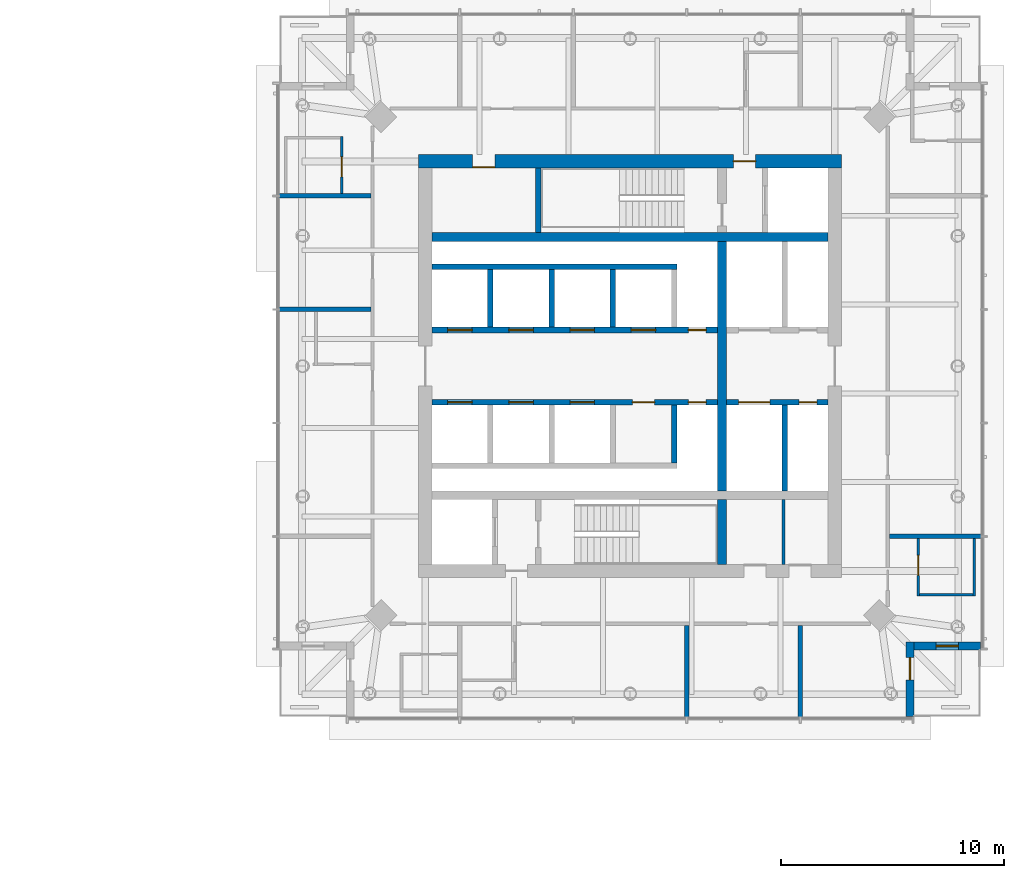
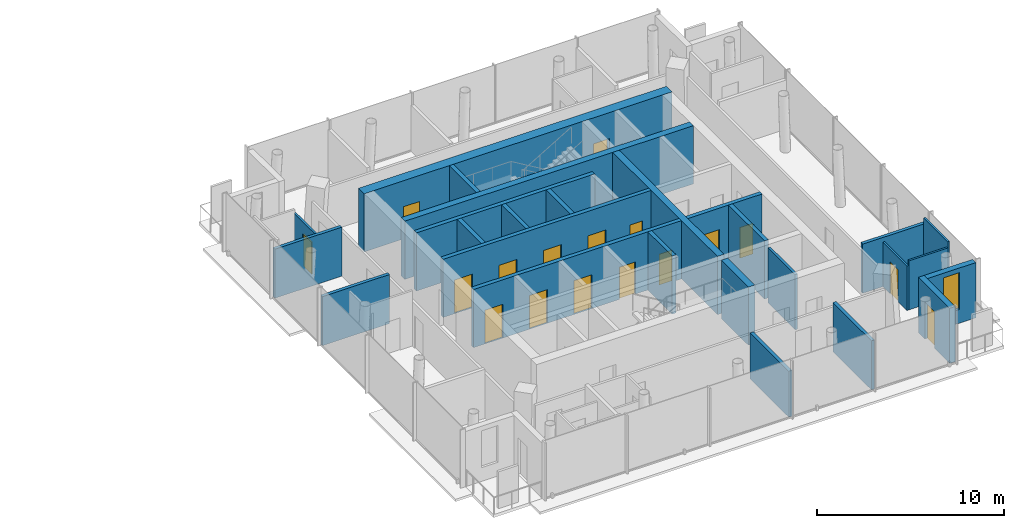
# One storey, part 13 of 19: 26 walls, 17 doors, 1 window, 18 openings.
"""IFC4 building model written with IfcOpenShell, lengths in metres."""

from ifc_helpers import new_model, si_unit, direction, frame, frame_2d, origin, place, context, subcontext, project, spatial, rectangle, extrude, material, layer, layer_set, type_object, element, fill, save


model = new_model("IFC4")

# Units and contexts
model_context = context("Model", 3, precision=1e-05, world=origin(), true_north=direction((0.0, 1.0)))
body_context = subcontext(model_context, "Body", "Model", "MODEL_VIEW")
ifc_project = project(units=[si_unit("LENGTHUNIT", "METRE"), si_unit("AREAUNIT", "SQUARE_METRE"), si_unit("VOLUMEUNIT", "CUBIC_METRE"), si_unit("PLANEANGLEUNIT", "RADIAN"), si_unit("MASSUNIT", "GRAM", prefix="KILO")], contexts=[model_context])

# Site, building, storey
site_placement = place(None, origin())
site = spatial("IfcSite", under=ifc_project, at=site_placement, CompositionType="ELEMENT")
building_placement = place(site_placement, origin())
building = spatial("IfcBuilding", under=site, at=building_placement, Name="Ostroluk Exchange", CompositionType="ELEMENT")
storey_placement = place(building_placement, frame((0.0, 0.0, 119.800048828125)))
storey = spatial("IfcBuildingStorey", under=building, at=storey_placement, Name="L30", CompositionType="ELEMENT", Elevation=119.800048828125)

# Walls
ifc_material_1 = material(Name="Concrete blockwork", Category="masonry")
ifc_layer_1 = layer(ifc_material_1, 0.14990234375)
ifc_layer_set_1 = layer_set([ifc_layer_1], Name="Blockwork plant room wall 150")
wall_type_1 = type_object("IfcWallType", Name="Blockwork plant room wall 150", PredefinedType="SOLIDWALL", material=ifc_layer_set_1)
wall_1_placement = place(storey_placement, frame((123.88916015625, 37.10009765625, 0.0), z_axis=(0.0, 0.0, 1.0), x_axis=(0.0, 1.0, 0.0)))
element("IfcWall", 1, at=wall_1_placement, inside=storey, type_object=wall_type_1, Name="Core room wall", PredefinedType="SOLIDWALL", context=body_context, shape_type="SweptSolid", body=[
    extrude(rectangle(XDim=2.89990234375, YDim=0.14990234375, at=frame_2d((1.449951171875, 0.0))), origin(), (0.0, 0.0, 1.0), 3.599853515625),
])
ifc_material_2 = material(Name="Concrete C50/60", Category="concrete")
ifc_layer_2 = layer(ifc_material_2, 0.39990234375)
ifc_layer_set_2 = layer_set([ifc_layer_2], Name="Core cross wall 400 C50/60")
wall_type_2 = type_object("IfcWallType", Name="Core cross wall 400 C50/60", PredefinedType="SHEAR", material=ifc_layer_set_2)
wall_2_placement = place(storey_placement, frame((108.10009765625, 51.800048828125, 0.0), z_axis=(0.0, 0.0, 1.0), x_axis=(1.0, 0.0, 0.0)))
element("IfcWall", 2, at=wall_2_placement, inside=storey, type_object=wall_type_2, Name="T2 core wall XN", PredefinedType="SHEAR", context=body_context, shape_type="SweptSolid", body=[
    extrude(rectangle(XDim=17.7998046875, YDim=0.39990234375, at=frame_2d((8.89990234375, 0.0))), origin(), (0.0, 0.0, 1.0), 3.800048828125),
])
wall_3_placement = place(storey_placement, frame((121.1298828125, 37.10009765625, 0.0), z_axis=(0.0, 0.0, 1.0), x_axis=(0.0, 1.0, 0.0)))
element("IfcWall", 3, at=wall_3_placement, inside=storey, type_object=wall_type_2, Name="T2 core wall YE1", PredefinedType="SHEAR", context=body_context, shape_type="SweptSolid", body=[
    extrude(rectangle(XDim=2.89990234375, YDim=0.39990234375, at=frame_2d((1.449951171875, 0.0))), origin(), (0.0, 0.0, 1.0), 3.800048828125),
])
wall_4_placement = place(storey_placement, frame((121.1298828125, 40.39990234375, 0.0), z_axis=(0.0, 0.0, 1.0), x_axis=(0.0, 1.0, 0.0)))
element("IfcWall", 4, at=wall_4_placement, inside=storey, type_object=wall_type_2, Name="T2 core wall YE2", PredefinedType="SHEAR", context=body_context, shape_type="SweptSolid", body=[
    extrude(rectangle(XDim=11.2001953125, YDim=0.39990234375, at=frame_2d((5.60009765625, 0.0))), origin(), (0.0, 0.0, 1.0), 3.800048828125),
])
ifc_material_3 = material(Name="Concrete C40/50", Category="concrete")
ifc_layer_3 = layer(ifc_material_3, 0.25)
ifc_layer_set_3 = layer_set([ifc_layer_3], Name="Core shaft wall 250")
wall_type_3 = type_object("IfcWallType", Name="Core shaft wall 250", PredefinedType="SHEAR", material=ifc_layer_set_3)
wall_5_placement = place(storey_placement, frame((112.875, 52.0, 0.0), z_axis=(0.0, 0.0, 1.0), x_axis=(0.0, 1.0, 0.0)))
element("IfcWall", 5, at=wall_5_placement, inside=storey, type_object=wall_type_3, Name="Stair shaft wall", PredefinedType="SHEAR", context=body_context, shape_type="SweptSolid", body=[
    extrude(rectangle(XDim=2.89990234375, YDim=0.25, at=frame_2d((1.449951171875, 0.0))), origin(), (0.0, 0.0, 1.0), 3.800048828125),
])
for number, where, z_axis, x_axis, name in (
    (6, (110.72509765625, 47.75, 0.0), (0.0, 0.0, 1.0), (0.0, 1.0, 0.0), "Lift shaft wall"),
    (7, (113.47509765625, 47.75, 0.0), (0.0, 0.0, 1.0), (0.0, 1.0, 0.0), "Lift shaft wall"),
    (8, (116.22509765625, 47.75, 0.0), (0.0, 0.0, 1.0), (0.0, 1.0, 0.0), "Lift shaft wall"),
):
    element("IfcWall", number, at=place(storey_placement, frame(where, z_axis=z_axis, x_axis=x_axis)), inside=storey, type_object=wall_type_3, Name=name, PredefinedType="SHEAR", context=body_context, shape_type="SweptSolid", body=[
        extrude(rectangle(XDim=2.60009765625, YDim=0.25, at=frame_2d((1.300048828125, 0.0))), origin(), (0.0, 0.0, 1.0), 3.800048828125),
    ])
wall_6_placement = place(storey_placement, frame((108.10009765625, 50.47509765625, 0.0), z_axis=(0.0, 0.0, 1.0), x_axis=(1.0, 0.0, 0.0)))
element("IfcWall", 9, at=wall_6_placement, inside=storey, type_object=wall_type_3, Name="Lift shaft wall", PredefinedType="SHEAR", context=body_context, shape_type="SweptSolid", body=[
    extrude(rectangle(XDim=11.0, YDim=0.25, at=frame_2d((5.5, 0.0))), origin(), (0.0, 0.0, 1.0), 3.800048828125),
])

# Wall, openings, doors
wall_7_placement = place(storey_placement, frame((108.10009765625, 47.625, 0.0), z_axis=(0.0, 0.0, 1.0), x_axis=(1.0, 0.0, 0.0)))
wall_7 = element("IfcWall", 10, at=wall_7_placement, inside=storey, type_object=wall_type_3, Name="Lift shaft front wall", PredefinedType="SHEAR", context=body_context, shape_type="SweptSolid", body=[
    extrude(rectangle(XDim=12.829833984375, YDim=0.25, at=frame_2d((6.4150390625, 0.0))), origin(), (0.0, 0.0, 1.0), 3.800048828125),
])
opening_1_placement = place(wall_7_placement, frame((0.699951171875, 0.0, 0.0)))
opening_1 = element("IfcOpeningElement", 11, at=opening_1_placement, cuts=wall_7, Name="Opening LD", PredefinedType="OPENING", context=body_context, shape_type="SweptSolid", body=[
    extrude(rectangle(XDim=1.10009765625, YDim=2.199951171875, at=frame_2d((0.550048828125, 1.10009765625))), frame((0.0, 0.135009765625, 0.0), z_axis=(0.0, -1.0, 0.0), x_axis=(1.0, 0.0, 0.0)), (0.0, 0.0, 1.0), 0.27001953125),
])
opening_2_placement = place(wall_7_placement, frame((3.449951171875, 0.0, 0.0)))
opening_2 = element("IfcOpeningElement", 12, at=opening_2_placement, cuts=wall_7, Name="Opening LD", PredefinedType="OPENING", context=body_context, shape_type="SweptSolid", body=[
    extrude(rectangle(XDim=1.10009765625, YDim=2.199951171875, at=frame_2d((0.550048828125, 1.10009765625))), frame((0.0, 0.135009765625, 0.0), z_axis=(0.0, -1.0, 0.0), x_axis=(1.0, 0.0, 0.0)), (0.0, 0.0, 1.0), 0.27001953125),
])
opening_3_placement = place(wall_7_placement, frame((6.199951171875, 0.0, 0.0)))
opening_3 = element("IfcOpeningElement", 13, at=opening_3_placement, cuts=wall_7, Name="Opening LD", PredefinedType="OPENING", context=body_context, shape_type="SweptSolid", body=[
    extrude(rectangle(XDim=1.10009765625, YDim=2.199951171875, at=frame_2d((0.550048828125, 1.10009765625))), frame((0.0, 0.135009765625, 0.0), z_axis=(0.0, -1.0, 0.0), x_axis=(1.0, 0.0, 0.0)), (0.0, 0.0, 1.0), 0.27001953125),
])
opening_4_placement = place(wall_7_placement, frame((8.949951171875, 0.0, 0.0)))
opening_4 = element("IfcOpeningElement", 14, at=opening_4_placement, cuts=wall_7, Name="Opening LD", PredefinedType="OPENING", context=body_context, shape_type="SweptSolid", body=[
    extrude(rectangle(XDim=1.10009765625, YDim=2.199951171875, at=frame_2d((0.550048828125, 1.10009765625))), frame((0.0, 0.135009765625, 0.0), z_axis=(0.0, -1.0, 0.0), x_axis=(1.0, 0.0, 0.0)), (0.0, 0.0, 1.0), 0.27001953125),
])
opening_5_placement = place(wall_7_placement, frame((11.514892578125, 0.0, 0.0)))
opening_5 = element("IfcOpeningElement", 15, at=opening_5_placement, cuts=wall_7, Name="Opening RD60", PredefinedType="OPENING", context=body_context, shape_type="SweptSolid", body=[
    extrude(rectangle(XDim=0.800048828125, YDim=2.0, at=frame_2d((0.39990234375, 1.0))), frame((0.0, 0.135009765625, 0.0), z_axis=(0.0, -1.0, 0.0), x_axis=(1.0, 0.0, 0.0)), (0.0, 0.0, 1.0), 0.27001953125),
])
ifc_material_4 = material(Name="Stainless steel", Category="steel")
door_type_1 = type_object("IfcDoorType", Name="Lift landing door E 60 1100 x 2200", OperationType="DOUBLE_DOOR_SLIDING", PredefinedType="DOOR", material=ifc_material_4)
door_1_placement = place(opening_1_placement, origin())
door_1 = element("IfcDoor", 16, at=door_1_placement, inside=storey, type_object=door_type_1, Name="Lift HL1 landing door", OperationType="DOUBLE_DOOR_SLIDING", OverallHeight=2.199951171875, OverallWidth=1.10009765625, PredefinedType="DOOR", context=body_context, shape_type="SweptSolid", body=[
    extrude(rectangle(XDim=1.10009765625, YDim=2.199951171875, at=frame_2d((0.550048828125, 1.10009765625))), frame((0.0, 0.02490234375, 0.0), z_axis=(0.0, -1.0, 0.0), x_axis=(1.0, 0.0, 0.0)), (0.0, 0.0, 1.0), 0.050048828125),
])
fill(opening_1, door_1)
door_2_placement = place(opening_2_placement, origin())
door_2 = element("IfcDoor", 17, at=door_2_placement, inside=storey, type_object=door_type_1, Name="Lift HL2 landing door", OperationType="DOUBLE_DOOR_SLIDING", OverallHeight=2.199951171875, OverallWidth=1.10009765625, PredefinedType="DOOR", context=body_context, shape_type="SweptSolid", body=[
    extrude(rectangle(XDim=1.10009765625, YDim=2.199951171875, at=frame_2d((0.550048828125, 1.10009765625))), frame((0.0, 0.02490234375, 0.0), z_axis=(0.0, -1.0, 0.0), x_axis=(1.0, 0.0, 0.0)), (0.0, 0.0, 1.0), 0.050048828125),
])
fill(opening_2, door_2)
door_3_placement = place(opening_3_placement, origin())
door_3 = element("IfcDoor", 18, at=door_3_placement, inside=storey, type_object=door_type_1, Name="Lift HL3 landing door", OperationType="DOUBLE_DOOR_SLIDING", OverallHeight=2.199951171875, OverallWidth=1.10009765625, PredefinedType="DOOR", context=body_context, shape_type="SweptSolid", body=[
    extrude(rectangle(XDim=1.10009765625, YDim=2.199951171875, at=frame_2d((0.550048828125, 1.10009765625))), frame((0.0, 0.02490234375, 0.0), z_axis=(0.0, -1.0, 0.0), x_axis=(1.0, 0.0, 0.0)), (0.0, 0.0, 1.0), 0.050048828125),
])
fill(opening_3, door_3)
door_4_placement = place(opening_4_placement, origin())
door_4 = element("IfcDoor", 19, at=door_4_placement, inside=storey, type_object=door_type_1, Name="Lift HL4 landing door", OperationType="DOUBLE_DOOR_SLIDING", OverallHeight=2.199951171875, OverallWidth=1.10009765625, PredefinedType="DOOR", context=body_context, shape_type="SweptSolid", body=[
    extrude(rectangle(XDim=1.10009765625, YDim=2.199951171875, at=frame_2d((0.550048828125, 1.10009765625))), frame((0.0, 0.02490234375, 0.0), z_axis=(0.0, -1.0, 0.0), x_axis=(1.0, 0.0, 0.0)), (0.0, 0.0, 1.0), 0.050048828125),
])
fill(opening_4, door_4)
ifc_material_5 = material(Name="Steel", Category="steel")
door_type_2 = type_object("IfcDoorType", Name="Riser access door EI 60 800 x 2000", OperationType="SINGLE_SWING_LEFT", PredefinedType="DOOR", material=ifc_material_5)
door_5_placement = place(opening_5_placement, origin())
door_5 = element("IfcDoor", 20, at=door_5_placement, inside=storey, type_object=door_type_2, Name="Riser access door", OperationType="SINGLE_SWING_RIGHT", OverallHeight=2.0, OverallWidth=0.800048828125, PredefinedType="DOOR", context=body_context, shape_type="SweptSolid", body=[
    extrude(rectangle(XDim=0.800048828125, YDim=2.0, at=frame_2d((0.39990234375, 1.0))), frame((0.0, 0.02490234375, 0.0), z_axis=(0.0, -1.0, 0.0), x_axis=(1.0, 0.0, 0.0)), (0.0, 0.0, 1.0), 0.050048828125),
])
fill(opening_5, door_5)

# Wall
wall_8_placement = place(storey_placement, frame((118.97509765625, 44.25, 0.0), z_axis=(0.0, 0.0, 1.0), x_axis=(0.0, -1.0, 0.0)))
element("IfcWall", 21, at=wall_8_placement, inside=storey, type_object=wall_type_3, Name="Lift shaft wall", PredefinedType="SHEAR", context=body_context, shape_type="SweptSolid", body=[
    extrude(rectangle(XDim=2.60009765625, YDim=0.25, at=frame_2d((1.300048828125, 0.0))), origin(), (0.0, 0.0, 1.0), 3.800048828125),
])

# Wall, openings, doors
wall_9_placement = place(storey_placement, frame((108.10009765625, 44.375, 0.0), z_axis=(0.0, 0.0, 1.0), x_axis=(1.0, 0.0, 0.0)))
wall_9 = element("IfcWall", 22, at=wall_9_placement, inside=storey, type_object=wall_type_3, Name="Lift shaft front wall", PredefinedType="SHEAR", context=body_context, shape_type="SweptSolid", body=[
    extrude(rectangle(XDim=12.829833984375, YDim=0.25, at=frame_2d((6.4150390625, 0.0))), origin(), (0.0, 0.0, 1.0), 3.800048828125),
])
opening_6_placement = place(wall_9_placement, frame((0.699951171875, 0.0, 0.0)))
opening_6 = element("IfcOpeningElement", 23, at=opening_6_placement, cuts=wall_9, Name="Opening LD", PredefinedType="OPENING", context=body_context, shape_type="SweptSolid", body=[
    extrude(rectangle(XDim=1.10009765625, YDim=2.199951171875, at=frame_2d((0.550048828125, 1.10009765625))), frame((0.0, 0.135009765625, 0.0), z_axis=(0.0, -1.0, 0.0), x_axis=(1.0, 0.0, 0.0)), (0.0, 0.0, 1.0), 0.27001953125),
])
opening_7_placement = place(wall_9_placement, frame((3.449951171875, 0.0, 0.0)))
opening_7 = element("IfcOpeningElement", 24, at=opening_7_placement, cuts=wall_9, Name="Opening LD", PredefinedType="OPENING", context=body_context, shape_type="SweptSolid", body=[
    extrude(rectangle(XDim=1.10009765625, YDim=2.199951171875, at=frame_2d((0.550048828125, 1.10009765625))), frame((0.0, 0.135009765625, 0.0), z_axis=(0.0, -1.0, 0.0), x_axis=(1.0, 0.0, 0.0)), (0.0, 0.0, 1.0), 0.27001953125),
])
opening_8_placement = place(wall_9_placement, frame((6.199951171875, 0.0, 0.0)))
opening_8 = element("IfcOpeningElement", 25, at=opening_8_placement, cuts=wall_9, Name="Opening LD", PredefinedType="OPENING", context=body_context, shape_type="SweptSolid", body=[
    extrude(rectangle(XDim=1.10009765625, YDim=2.199951171875, at=frame_2d((0.550048828125, 1.10009765625))), frame((0.0, 0.135009765625, 0.0), z_axis=(0.0, -1.0, 0.0), x_axis=(1.0, 0.0, 0.0)), (0.0, 0.0, 1.0), 0.27001953125),
])
opening_9_placement = place(wall_9_placement, frame((9.0, 0.0, 0.0)))
opening_9 = element("IfcOpeningElement", 26, at=opening_9_placement, cuts=wall_9, Name="Opening FD60", PredefinedType="OPENING", context=body_context, shape_type="SweptSolid", body=[
    extrude(rectangle(XDim=1.0, YDim=2.10009765625, at=frame_2d((0.5, 1.050048828125))), frame((0.0, 0.135009765625, 0.0), z_axis=(0.0, -1.0, 0.0), x_axis=(1.0, 0.0, 0.0)), (0.0, 0.0, 1.0), 0.27001953125),
])
opening_10_placement = place(wall_9_placement, frame((11.514892578125, 0.0, 0.0)))
opening_10 = element("IfcOpeningElement", 27, at=opening_10_placement, cuts=wall_9, Name="Opening RD60", PredefinedType="OPENING", context=body_context, shape_type="SweptSolid", body=[
    extrude(rectangle(XDim=0.800048828125, YDim=2.0, at=frame_2d((0.39990234375, 1.0))), frame((0.0, 0.135009765625, 0.0), z_axis=(0.0, -1.0, 0.0), x_axis=(1.0, 0.0, 0.0)), (0.0, 0.0, 1.0), 0.27001953125),
])
ifc_material_6 = material(Name="Steel", Category="steel")
door_type_3 = type_object("IfcDoorType", Name="Fire door EI 60 1000 x 2100", OperationType="SINGLE_SWING_LEFT", PredefinedType="DOOR", material=ifc_material_6)
door_6_placement = place(opening_9_placement, origin())
door_6 = element("IfcDoor", 28, at=door_6_placement, inside=storey, type_object=door_type_3, Name="Core room door", OperationType="SINGLE_SWING_RIGHT", OverallHeight=2.10009765625, OverallWidth=1.0, PredefinedType="DOOR", context=body_context, shape_type="SweptSolid", body=[
    extrude(rectangle(XDim=1.0, YDim=2.10009765625, at=frame_2d((0.5, 1.050048828125))), frame((0.0, 0.02490234375, 0.0), z_axis=(0.0, -1.0, 0.0), x_axis=(1.0, 0.0, 0.0)), (0.0, 0.0, 1.0), 0.050048828125),
])
fill(opening_9, door_6)
door_7_placement = place(opening_6_placement, origin())
door_7 = element("IfcDoor", 29, at=door_7_placement, inside=storey, type_object=door_type_1, Name="Lift HL5 landing door", OperationType="DOUBLE_DOOR_SLIDING", OverallHeight=2.199951171875, OverallWidth=1.10009765625, PredefinedType="DOOR", context=body_context, shape_type="SweptSolid", body=[
    extrude(rectangle(XDim=1.10009765625, YDim=2.199951171875, at=frame_2d((0.550048828125, 1.10009765625))), frame((0.0, 0.02490234375, 0.0), z_axis=(0.0, -1.0, 0.0), x_axis=(1.0, 0.0, 0.0)), (0.0, 0.0, 1.0), 0.050048828125),
])
fill(opening_6, door_7)
door_8_placement = place(opening_7_placement, origin())
door_8 = element("IfcDoor", 30, at=door_8_placement, inside=storey, type_object=door_type_1, Name="Lift HL6 landing door", OperationType="DOUBLE_DOOR_SLIDING", OverallHeight=2.199951171875, OverallWidth=1.10009765625, PredefinedType="DOOR", context=body_context, shape_type="SweptSolid", body=[
    extrude(rectangle(XDim=1.10009765625, YDim=2.199951171875, at=frame_2d((0.550048828125, 1.10009765625))), frame((0.0, 0.02490234375, 0.0), z_axis=(0.0, -1.0, 0.0), x_axis=(1.0, 0.0, 0.0)), (0.0, 0.0, 1.0), 0.050048828125),
])
fill(opening_7, door_8)
door_9_placement = place(opening_8_placement, origin())
door_9 = element("IfcDoor", 31, at=door_9_placement, inside=storey, type_object=door_type_1, Name="Lift HL7 landing door", OperationType="DOUBLE_DOOR_SLIDING", OverallHeight=2.199951171875, OverallWidth=1.10009765625, PredefinedType="DOOR", context=body_context, shape_type="SweptSolid", body=[
    extrude(rectangle(XDim=1.10009765625, YDim=2.199951171875, at=frame_2d((0.550048828125, 1.10009765625))), frame((0.0, 0.02490234375, 0.0), z_axis=(0.0, -1.0, 0.0), x_axis=(1.0, 0.0, 0.0)), (0.0, 0.0, 1.0), 0.050048828125),
])
fill(opening_8, door_9)
door_10_placement = place(opening_10_placement, origin())
door_10 = element("IfcDoor", 32, at=door_10_placement, inside=storey, type_object=door_type_2, Name="Riser access door", OperationType="SINGLE_SWING_RIGHT", OverallHeight=2.0, OverallWidth=0.800048828125, PredefinedType="DOOR", context=body_context, shape_type="SweptSolid", body=[
    extrude(rectangle(XDim=0.800048828125, YDim=2.0, at=frame_2d((0.39990234375, 1.0))), frame((0.0, 0.02490234375, 0.0), z_axis=(0.0, -1.0, 0.0), x_axis=(1.0, 0.0, 0.0)), (0.0, 0.0, 1.0), 0.050048828125),
])
fill(opening_10, door_10)

# Wall
wall_10_placement = place(storey_placement, frame((123.955078125, 44.25, 0.0), z_axis=(0.0, 0.0, 1.0), x_axis=(0.0, -1.0, 0.0)))
element("IfcWall", 33, at=wall_10_placement, inside=storey, type_object=wall_type_3, Name="Lift shaft wall", PredefinedType="SHEAR", context=body_context, shape_type="SweptSolid", body=[
    extrude(rectangle(XDim=3.85009765625, YDim=0.25, at=frame_2d((1.925048828125, 0.0))), origin(), (0.0, 0.0, 1.0), 3.800048828125),
])

# Wall, openings, doors
wall_11_placement = place(storey_placement, frame((121.330078125, 44.375, 0.0), z_axis=(0.0, 0.0, 1.0), x_axis=(1.0, 0.0, 0.0)))
wall_11 = element("IfcWall", 34, at=wall_11_placement, inside=storey, type_object=wall_type_3, Name="Lift shaft front wall", PredefinedType="SHEAR", context=body_context, shape_type="SweptSolid", body=[
    extrude(rectangle(XDim=4.56982421875, YDim=0.25, at=frame_2d((2.284912109375, 0.0))), origin(), (0.0, 0.0, 1.0), 3.800048828125),
])
opening_11_placement = place(wall_11_placement, frame((0.550048828125, 0.0, 0.0)))
opening_11 = element("IfcOpeningElement", 35, at=opening_11_placement, cuts=wall_11, Name="Opening LD3", PredefinedType="OPENING", context=body_context, shape_type="SweptSolid", body=[
    extrude(rectangle(XDim=1.39990234375, YDim=2.39990234375, at=frame_2d((0.699951171875, 1.199951171875))), frame((0.0, 0.135009765625, 0.0), z_axis=(0.0, -1.0, 0.0), x_axis=(1.0, 0.0, 0.0)), (0.0, 0.0, 1.0), 0.27001953125),
])
opening_12_placement = place(wall_11_placement, frame((3.260009765625, 0.0, 0.0)))
opening_12 = element("IfcOpeningElement", 36, at=opening_12_placement, cuts=wall_11, Name="Opening RD60", PredefinedType="OPENING", context=body_context, shape_type="SweptSolid", body=[
    extrude(rectangle(XDim=0.800048828125, YDim=2.0, at=frame_2d((0.39990234375, 1.0))), frame((0.0, 0.135009765625, 0.0), z_axis=(0.0, -1.0, 0.0), x_axis=(1.0, 0.0, 0.0)), (0.0, 0.0, 1.0), 0.27001953125),
])
ifc_material_7 = material(Name="Stainless steel", Category="steel")
door_type_4 = type_object("IfcDoorType", Name="Goods lift landing door E 60 1400 x 2400", OperationType="DOUBLE_DOOR_SLIDING", PredefinedType="DOOR", material=ifc_material_7)
door_11_placement = place(opening_11_placement, origin())
door_11 = element("IfcDoor", 37, at=door_11_placement, inside=storey, type_object=door_type_4, Name="Lift HS2 landing door", OperationType="DOUBLE_DOOR_SLIDING", OverallHeight=2.39990234375, OverallWidth=1.39990234375, PredefinedType="DOOR", context=body_context, shape_type="SweptSolid", body=[
    extrude(rectangle(XDim=1.39990234375, YDim=2.39990234375, at=frame_2d((0.699951171875, 1.199951171875))), frame((0.0, 0.02490234375, 0.0), z_axis=(0.0, -1.0, 0.0), x_axis=(1.0, 0.0, 0.0)), (0.0, 0.0, 1.0), 0.050048828125),
])
fill(opening_11, door_11)
door_12_placement = place(opening_12_placement, origin())
door_12 = element("IfcDoor", 38, at=door_12_placement, inside=storey, type_object=door_type_2, Name="Riser access door", OperationType="SINGLE_SWING_RIGHT", OverallHeight=2.0, OverallWidth=0.800048828125, PredefinedType="DOOR", context=body_context, shape_type="SweptSolid", body=[
    extrude(rectangle(XDim=0.800048828125, YDim=2.0, at=frame_2d((0.39990234375, 1.0))), frame((0.0, 0.02490234375, 0.0), z_axis=(0.0, -1.0, 0.0), x_axis=(1.0, 0.0, 0.0)), (0.0, 0.0, 1.0), 0.050048828125),
])
fill(opening_12, door_12)

ifc_material_8 = material(Name="Concrete C50/60", Category="concrete")
ifc_layer_4 = layer(ifc_material_8, 0.60009765625)
ifc_layer_set_4 = layer_set([ifc_layer_4], Name="Core wall 600 C50/60")
wall_type_4 = type_object("IfcWallType", Name="Core wall 600 C50/60", PredefinedType="SHEAR", material=ifc_layer_set_4)
wall_12_placement = place(storey_placement, frame((107.5, 55.199951171875, 0.0), z_axis=(0.0, 0.0, 1.0), x_axis=(1.0, 0.0, 0.0)))
wall_12 = element("IfcWall", 39, at=wall_12_placement, inside=storey, type_object=wall_type_4, Name="T2 core wall N", PredefinedType="SHEAR", context=body_context, shape_type="SweptSolid", body=[
    extrude(rectangle(XDim=19.0, YDim=0.60009765625, at=frame_2d((9.5, 0.0))), origin(), (0.0, 0.0, 1.0), 3.800048828125),
])
opening_13_placement = place(wall_12_placement, frame((14.139892578125, 0.0, 0.0)))
opening_13 = element("IfcOpeningElement", 40, at=opening_13_placement, cuts=wall_12, Name="Opening FD60", PredefinedType="OPENING", context=body_context, shape_type="SweptSolid", body=[
    extrude(rectangle(XDim=1.0, YDim=2.10009765625, at=frame_2d((0.5, 1.050048828125))), frame((0.0, 0.31005859375, 0.0), z_axis=(0.0, -1.0, 0.0), x_axis=(1.0, 0.0, 0.0)), (0.0, 0.0, 1.0), 0.6201171875),
])
opening_14_placement = place(wall_12_placement, frame((2.425048828125, 0.0, 0.0)))
opening_14 = element("IfcOpeningElement", 41, at=opening_14_placement, cuts=wall_12, Name="Opening FD60", PredefinedType="OPENING", context=body_context, shape_type="SweptSolid", body=[
    extrude(rectangle(XDim=1.0, YDim=2.10009765625, at=frame_2d((0.5, 1.050048828125))), frame((0.0, 0.31005859375, 0.0), z_axis=(0.0, -1.0, 0.0), x_axis=(1.0, 0.0, 0.0)), (0.0, 0.0, 1.0), 0.6201171875),
])
door_13_placement = place(opening_13_placement, origin())
door_13 = element("IfcDoor", 42, at=door_13_placement, inside=storey, type_object=door_type_3, Name="Firefighting lobby door", OperationType="SINGLE_SWING_RIGHT", OverallHeight=2.10009765625, OverallWidth=1.0, PredefinedType="DOOR", context=body_context, shape_type="SweptSolid", body=[
    extrude(rectangle(XDim=1.0, YDim=2.10009765625, at=frame_2d((0.5, 1.050048828125))), frame((0.0, 0.02490234375, 0.0), z_axis=(0.0, -1.0, 0.0), x_axis=(1.0, 0.0, 0.0)), (0.0, 0.0, 1.0), 0.050048828125),
])
fill(opening_13, door_13)
door_14_placement = place(opening_14_placement, origin())
door_14 = element("IfcDoor", 43, at=door_14_placement, inside=storey, type_object=door_type_3, Name="Guest pantry door", OperationType="SINGLE_SWING_LEFT", OverallHeight=2.10009765625, OverallWidth=1.0, PredefinedType="DOOR", context=body_context, shape_type="SweptSolid", body=[
    extrude(rectangle(XDim=1.0, YDim=2.10009765625, at=frame_2d((0.5, 1.050048828125))), frame((0.0, -0.23974609375, 0.0), z_axis=(0.0, -1.0, 0.0), x_axis=(1.0, 0.0, 0.0)), (0.0, 0.0, 1.0), 0.050048828125),
])
fill(opening_14, door_14)

# Wall, opening, door
ifc_material_9 = material(Name="Limestone", Category="masonry")
ifc_layer_5 = layer(ifc_material_9, 0.35009765625)
ifc_layer_set_5 = layer_set([ifc_layer_5], Name="Limestone facade wall 350")
wall_type_5 = type_object("IfcWallType", Name="Limestone facade wall 350", PredefinedType="SOLIDWALL", material=ifc_layer_set_5)
wall_13_placement = place(storey_placement, frame((129.574951171875, 30.25, 0.0), z_axis=(0.0, 0.0, 1.0), x_axis=(0.0, 1.0, 0.0)))
wall_13 = element("IfcWall", 44, at=wall_13_placement, inside=storey, type_object=wall_type_5, Name="Hotel tower SE corner wall L30 a", PredefinedType="SOLIDWALL", context=body_context, shape_type="SweptSolid", body=[
    extrude(rectangle(XDim=3.35009765625, YDim=0.35009765625, at=frame_2d((1.675048828125, 0.0))), origin(), (0.0, 0.0, 1.0), 3.599853515625),
])
opening_15_placement = place(wall_13_placement, frame((1.64990234375, 0.0, 0.0)))
opening_15 = element("IfcOpeningElement", 45, at=opening_15_placement, cuts=wall_13, Name="Opening D-B1", PredefinedType="OPENING", context=body_context, shape_type="SweptSolid", body=[
    extrude(rectangle(XDim=1.0, YDim=2.39990234375, at=frame_2d((0.5, 1.199951171875))), frame((0.0, 0.18505859375, 0.0), z_axis=(0.0, -1.0, 0.0), x_axis=(1.0, 0.0, 0.0)), (0.0, 0.0, 1.0), 0.3701171875),
])
ifc_material_10 = material(Name="Bronze framed glazed door", Category="aluminium")
door_type_5 = type_object("IfcDoorType", Name="Balcony door 1000 x 2400", OperationType="SINGLE_SWING_LEFT", PredefinedType="DOOR", material=ifc_material_10)
door_15_placement = place(opening_15_placement, origin())
door_15 = element("IfcDoor", 46, at=door_15_placement, inside=storey, type_object=door_type_5, Name="Hotel tower SE balcony door L30", OperationType="SINGLE_SWING_RIGHT", OverallHeight=2.39990234375, OverallWidth=1.0, PredefinedType="DOOR", context=body_context, shape_type="SweptSolid", body=[
    extrude(rectangle(XDim=1.0, YDim=2.39990234375, at=frame_2d((0.5, 1.199951171875))), frame((0.0, 0.02490234375, 0.0), z_axis=(0.0, -1.0, 0.0), x_axis=(1.0, 0.0, 0.0)), (0.0, 0.0, 1.0), 0.050048828125),
])
fill(opening_15, door_15)

# Wall, opening, window
wall_14_placement = place(storey_placement, frame((129.75, 33.425048828125, 0.0), z_axis=(0.0, 0.0, 1.0), x_axis=(1.0, 0.0, 0.0)))
wall_14 = element("IfcWall", 47, at=wall_14_placement, inside=storey, type_object=wall_type_5, Name="Hotel tower SE corner wall L30 b", PredefinedType="SOLIDWALL", context=body_context, shape_type="SweptSolid", body=[
    extrude(rectangle(XDim=3.0, YDim=0.35009765625, at=frame_2d((1.5, 0.0))), origin(), (0.0, 0.0, 1.0), 3.599853515625),
])
opening_16_placement = place(wall_14_placement, frame((1.0, 0.0, 0.89990234375)))
opening_16 = element("IfcOpeningElement", 48, at=opening_16_placement, cuts=wall_14, Name="Opening WN-L3", PredefinedType="OPENING", context=body_context, shape_type="SweptSolid", body=[
    extrude(rectangle(XDim=1.0, YDim=2.39990234375, at=frame_2d((0.5, 1.199951171875))), frame((0.0, 0.18505859375, 0.0), z_axis=(0.0, -1.0, 0.0), x_axis=(1.0, 0.0, 0.0)), (0.0, 0.0, 1.0), 0.3701171875),
])
ifc_material_11 = material(Name="Laminated clear glass", Category="glass")
window_type = type_object("IfcWindowType", Name="Hotel lancet window 1000 x 2400", PartitioningType="SINGLE_PANEL", PredefinedType="WINDOW", material=ifc_material_11)
window_placement = place(opening_16_placement, origin())
window = element("IfcWindow", 49, at=window_placement, inside=storey, type_object=window_type, Name="Hotel tower SE lancet window L30", OverallHeight=2.39990234375, OverallWidth=1.0, PartitioningType="SINGLE_PANEL", PredefinedType="WINDOW", context=body_context, shape_type="SweptSolid", body=[
    extrude(rectangle(XDim=1.0, YDim=2.39990234375, at=frame_2d((0.5, 1.199951171875))), frame((0.0, 0.030029296875, 0.0), z_axis=(0.0, -1.0, 0.0), x_axis=(1.0, 0.0, 0.0)), (0.0, 0.0, 1.0), 0.06005859375),
])
fill(opening_16, window)

# Wall, opening, door
ifc_material_12 = material(Name="Gypsum plasterboard partition, moisture resistant", Category="gypsum")
ifc_layer_6 = layer(ifc_material_12, 0.1201171875)
ifc_layer_set_6 = layer_set([ifc_layer_6], Name="Plasterboard en-suite wall 120")
wall_type_6 = type_object("IfcWallType", Name="Plasterboard en-suite wall 120", PredefinedType="PARTITIONING", material=ifc_layer_set_6)
wall_15_placement = place(storey_placement, frame((129.949951171875, 38.25, 0.0), z_axis=(0.0, 0.0, 1.0), x_axis=(0.0, -1.0, 0.0)))
wall_15 = element("IfcWall", 50, at=wall_15_placement, inside=storey, type_object=wall_type_6, Name="En-suite wall", PredefinedType="PARTITIONING", context=body_context, shape_type="SweptSolid", body=[
    extrude(rectangle(XDim=2.580078125, YDim=0.1201171875, at=frame_2d((1.2900390625, 0.0))), origin(), (0.0, 0.0, 1.0), 2.89990234375),
])
opening_17_placement = place(wall_15_placement, frame((0.75, 0.0, 0.0)))
opening_17 = element("IfcOpeningElement", 51, at=opening_17_placement, cuts=wall_15, Name="Opening D-02", PredefinedType="OPENING", context=body_context, shape_type="SweptSolid", body=[
    extrude(rectangle(XDim=0.89990234375, YDim=2.10009765625, at=frame_2d((0.449951171875, 1.050048828125))), frame((0.0, 0.070068359375, 0.0), z_axis=(0.0, -1.0, 0.0), x_axis=(1.0, 0.0, 0.0)), (0.0, 0.0, 1.0), 0.14013671875),
])
ifc_material_13 = material(Name="Timber", Category="wood")
door_type_6 = type_object("IfcDoorType", Name="En-suite door 900 x 2100", OperationType="SINGLE_SWING_LEFT", PredefinedType="DOOR", material=ifc_material_13)
door_16_placement = place(opening_17_placement, origin())
door_16 = element("IfcDoor", 52, at=door_16_placement, inside=storey, type_object=door_type_6, Name="En-suite door 3001", OperationType="SINGLE_SWING_LEFT", OverallHeight=2.10009765625, OverallWidth=0.89990234375, PredefinedType="DOOR", context=body_context, shape_type="SweptSolid", body=[
    extrude(rectangle(XDim=0.89990234375, YDim=2.10009765625, at=frame_2d((0.449951171875, 1.050048828125))), frame((0.0, 0.02490234375, 0.0), z_axis=(0.0, -1.0, 0.0), x_axis=(1.0, 0.0, 0.0)), (0.0, 0.0, 1.0), 0.050048828125),
])
fill(opening_17, door_16)

# Walls
wall_16_placement = place(storey_placement, frame((132.469970703125, 38.25, 0.0), z_axis=(0.0, 0.0, 1.0), x_axis=(0.0, -1.0, 0.0)))
element("IfcWall", 53, at=wall_16_placement, inside=storey, type_object=wall_type_6, Name="En-suite wall", PredefinedType="PARTITIONING", context=body_context, shape_type="SweptSolid", body=[
    extrude(rectangle(XDim=2.580078125, YDim=0.1201171875, at=frame_2d((1.2900390625, 0.0))), origin(), (0.0, 0.0, 1.0), 3.599853515625),
])
wall_17_placement = place(storey_placement, frame((130.010009765625, 35.72998046875, 0.0), z_axis=(0.0, 0.0, 1.0), x_axis=(1.0, 0.0, 0.0)))
element("IfcWall", 54, at=wall_17_placement, inside=storey, type_object=wall_type_6, Name="En-suite wall", PredefinedType="PARTITIONING", context=body_context, shape_type="SweptSolid", body=[
    extrude(rectangle(XDim=2.39990234375, YDim=0.1201171875, at=frame_2d((1.199951171875, 0.0))), origin(), (0.0, 0.0, 1.0), 3.199951171875),
])

# Wall, opening, door
wall_18_placement = place(storey_placement, frame((104.050048828125, 53.75, 0.0), z_axis=(0.0, 0.0, 1.0), x_axis=(0.0, 1.0, 0.0)))
wall_18 = element("IfcWall", 55, at=wall_18_placement, inside=storey, type_object=wall_type_6, Name="En-suite wall", PredefinedType="PARTITIONING", context=body_context, shape_type="SweptSolid", body=[
    extrude(rectangle(XDim=2.580078125, YDim=0.1201171875, at=frame_2d((1.2900390625, 0.0))), origin(), (0.0, 0.0, 1.0), 2.89990234375),
])
opening_18_placement = place(wall_18_placement, frame((0.75, 0.0, 0.0)))
opening_18 = element("IfcOpeningElement", 56, at=opening_18_placement, cuts=wall_18, Name="Opening D-02", PredefinedType="OPENING", context=body_context, shape_type="SweptSolid", body=[
    extrude(rectangle(XDim=0.89990234375, YDim=2.10009765625, at=frame_2d((0.449951171875, 1.050048828125))), frame((0.0, 0.070068359375, 0.0), z_axis=(0.0, -1.0, 0.0), x_axis=(1.0, 0.0, 0.0)), (0.0, 0.0, 1.0), 0.14013671875),
])
door_17_placement = place(opening_18_placement, origin())
door_17 = element("IfcDoor", 57, at=door_17_placement, inside=storey, type_object=door_type_6, Name="En-suite door 3003", OperationType="SINGLE_SWING_LEFT", OverallHeight=2.10009765625, OverallWidth=0.89990234375, PredefinedType="DOOR", context=body_context, shape_type="SweptSolid", body=[
    extrude(rectangle(XDim=0.89990234375, YDim=2.10009765625, at=frame_2d((0.449951171875, 1.050048828125))), frame((0.0, 0.02490234375, 0.0), z_axis=(0.0, -1.0, 0.0), x_axis=(1.0, 0.0, 0.0)), (0.0, 0.0, 1.0), 0.050048828125),
])
fill(opening_18, door_17)

# Walls
ifc_material_14 = material(Name="Gypsum plasterboard partition", Category="gypsum")
ifc_layer_7 = layer(ifc_material_14, 0.199951171875)
ifc_layer_set_7 = layer_set([ifc_layer_7], Name="Plasterboard party wall 200")
wall_type_7 = type_object("IfcWallType", Name="Plasterboard party wall 200", PredefinedType="PARTITIONING", material=ifc_layer_set_7)
for number, where, z_axis, x_axis, name in (
    (58, (128.64990234375, 38.35009765625, 0.0), (0.0, 0.0, 1.0), (1.0, 0.0, 0.0), "Party wall"),
    (59, (105.35009765625, 53.64990234375, 0.0), (0.0, 0.0, 1.0), (-1.0, 0.0, 0.0), "Party wall"),
    (60, (105.35009765625, 48.550048828125, 0.0), (0.0, 0.0, 1.0), (-1.0, 0.0, 0.0), "Party wall"),
):
    element("IfcWall", number, at=place(storey_placement, frame(where, z_axis=z_axis, x_axis=x_axis)), inside=storey, type_object=wall_type_7, Name=name, PredefinedType="PARTITIONING", context=body_context, shape_type="SweptSolid", body=[
        extrude(rectangle(XDim=4.14013671875, YDim=0.199951171875, at=frame_2d((2.070068359375, 0.0))), origin(), (0.0, 0.0, 1.0), 3.199951171875),
    ])
wall_19_placement = place(storey_placement, frame((119.550048828125, 34.35009765625, 0.0), z_axis=(0.0, 0.0, 1.0), x_axis=(0.0, -1.0, 0.0)))
element("IfcWall", 61, at=wall_19_placement, inside=storey, type_object=wall_type_7, Name="Party wall", PredefinedType="PARTITIONING", context=body_context, shape_type="SweptSolid", body=[
    extrude(rectangle(XDim=4.14013671875, YDim=0.199951171875, at=frame_2d((2.070068359375, 0.0))), origin(), (0.0, 0.0, 1.0), 3.0),
])
wall_20_placement = place(storey_placement, frame((124.64990234375, 34.35009765625, 0.0), z_axis=(0.0, 0.0, 1.0), x_axis=(0.0, -1.0, 0.0)))
element("IfcWall", 62, at=wall_20_placement, inside=storey, type_object=wall_type_7, Name="Party wall", PredefinedType="PARTITIONING", context=body_context, shape_type="SweptSolid", body=[
    extrude(rectangle(XDim=4.14013671875, YDim=0.199951171875, at=frame_2d((2.070068359375, 0.0))), origin(), (0.0, 0.0, 1.0), 3.199951171875),
])

save(model, "model.ifc")
